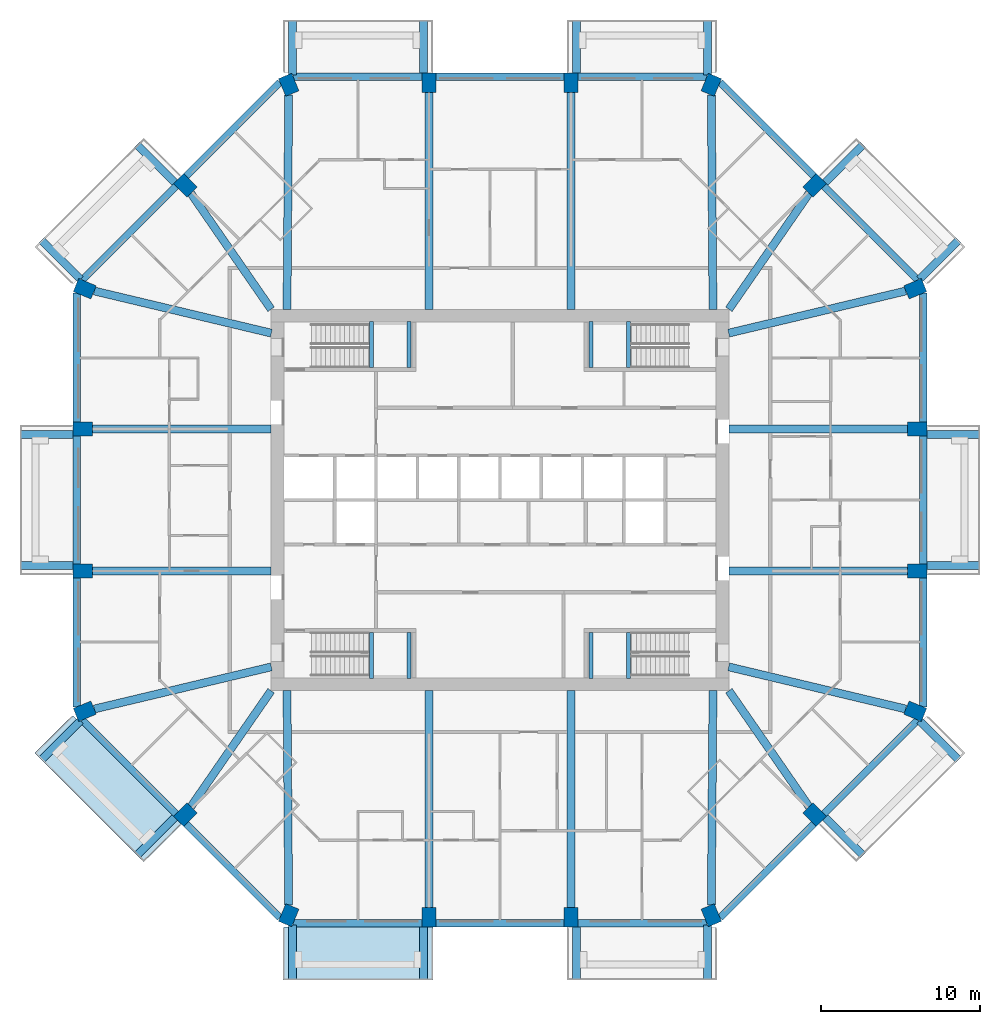
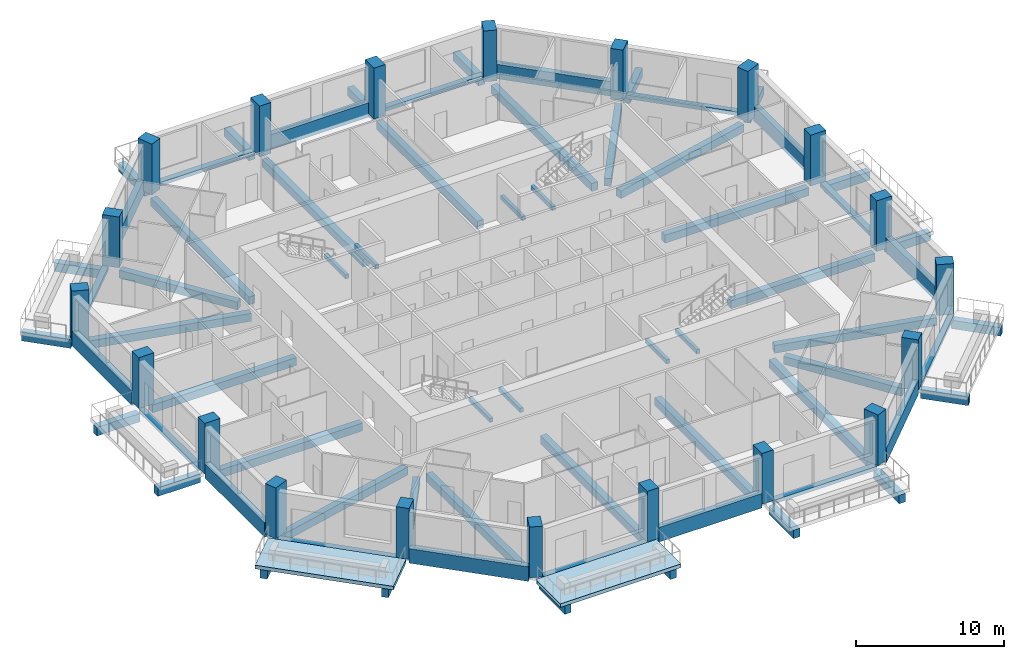
# One storey, part 1 of 13: 68 beams, 20 columns, 2 slabs.
"""IFC4 building model written with IfcOpenShell, lengths in metres."""

import ifcopenshell
import ifcopenshell.guid

model = None  # the IFC model being written
_history = None  # IfcOwnerHistory: only IFC2X3 demands one
_inside = {}  # id of a spatial element -> (the spatial element, [elements in it])
_under = {}  # id of a project, library or spatial element -> (it, [spatial elements below it])
_declared = {}  # id of a project -> (the project, [libraries it declares])
_typed = {}  # id of a type object -> (the type object, [elements of that type])
_made_of = {}  # id of a material, layer set ... -> (it, [elements and type objects made of it])


def new_model(schema):
    """Start an empty IFC model of exactly this schema.

    Asked for "IFC4X3", IfcOpenShell would pick the latest addendum, in which some entities
    have other attributes; the version numbers below select the first issue.
    IFC2X3 requires an IfcOwnerHistory on every rooted entity: one is made here for all.
    """
    global model, _history
    if schema == "IFC4X3":
        model = ifcopenshell.file(schema_version=(4, 3, 0, 0))
    else:
        model = ifcopenshell.file(schema=schema)
    _inside.clear()
    _under.clear()
    _declared.clear()
    _typed.clear()
    _made_of.clear()
    _history = None
    if model.schema == "IFC2X3":
        org = make("IfcOrganization", Name="unknown")
        user = make(
            "IfcPersonAndOrganization",
            ThePerson=make("IfcPerson", FamilyName="unknown"),
            TheOrganization=org,
        )
        app = make(
            "IfcApplication",
            ApplicationDeveloper=org,
            Version="unknown",
            ApplicationFullName="unknown",
            ApplicationIdentifier="unknown",
        )
        _history = make(
            "IfcOwnerHistory",
            OwningUser=user,
            OwningApplication=app,
            ChangeAction="ADDED",
            CreationDate=0,
        )
    return model


def make(cls, **values):
    """One entity of the class cls with the attributes given. An attribute that is None is left unset."""
    return model.create_entity(
        cls, **{name: value for name, value in values.items() if value is not None}
    )


def rooted(cls, **values):
    """An entity with a GlobalId (a new one), such as an element, a storey or a relation."""
    return make(cls, GlobalId=ifcopenshell.guid.new(), OwnerHistory=_history, **values)


def si_unit(unit_type, name, prefix=None):
    """IfcSIUnit, for example si_unit("LENGTHUNIT", "METRE", prefix="MILLI")."""
    return make("IfcSIUnit", UnitType=unit_type, Prefix=prefix, Name=name)


def assignment(units):
    """IfcUnitAssignment: the units of a project."""
    return None if units is None else make("IfcUnitAssignment", Units=units)


def point(xyz):
    """IfcCartesianPoint."""
    return None if xyz is None else make("IfcCartesianPoint", Coordinates=xyz)


def direction(xyz):
    """IfcDirection."""
    return None if xyz is None else make("IfcDirection", DirectionRatios=xyz)


def frame(location, z_axis=None, x_axis=None):
    """IfcAxis2Placement3D, a coordinate frame: its origin and axes. An axis left out is left unset."""
    return make(
        "IfcAxis2Placement3D",
        Location=point(location),
        Axis=direction(z_axis),
        RefDirection=direction(x_axis),
    )


def frame_2d(location, x_axis=None):
    """IfcAxis2Placement2D, a coordinate frame in the plane: its origin and x axis."""
    return make(
        "IfcAxis2Placement2D", Location=point(location), RefDirection=direction(x_axis)
    )


def origin():
    """The frame at (0, 0, 0) with its axes left unset."""
    return frame((0.0, 0.0, 0.0))


def origin_2d():
    """The frame at (0, 0) in the plane with its x axis left unset."""
    return frame_2d((0.0, 0.0))


def place(relative_to, where):
    """IfcLocalPlacement: puts the frame where relative to a parent placement (None: the world)."""
    return make(
        "IfcLocalPlacement", PlacementRelTo=relative_to, RelativePlacement=where
    )


def context(
    kind, dimensions, precision=None, world=None, true_north=None, identifier=None
):
    """IfcGeometricRepresentationContext, for example the 3D "Model" context."""
    return make(
        "IfcGeometricRepresentationContext",
        ContextIdentifier=identifier,
        ContextType=kind,
        CoordinateSpaceDimension=dimensions,
        Precision=precision,
        WorldCoordinateSystem=world,
        TrueNorth=true_north,
    )


def subcontext(parent, identifier, kind, view, scale=None):
    """IfcGeometricRepresentationSubContext, for example "Body" below "Model"."""
    return make(
        "IfcGeometricRepresentationSubContext",
        ContextIdentifier=identifier,
        ContextType=kind,
        ParentContext=parent,
        TargetScale=scale,
        TargetView=view,
    )


def project(units=None, contexts=None):
    """IfcProject with its units and contexts."""
    return rooted(
        "IfcProject",
        Name="project",
        RepresentationContexts=contexts,
        UnitsInContext=assignment(units),
    )


def spatial(cls, under=None, at=None, **own):
    """A site, building, storey or space (cls), placed at a placement, below another one or the project."""
    s = rooted(cls, ObjectPlacement=at, **own)
    if under is not None:
        _under.setdefault(under.id(), (under, []))[1].append(s)
    return s


def polyline(points):
    """IfcPolyline through the points."""
    return make("IfcPolyline", Points=[point(p) for p in points])


def profile(cls, at=None, kind="AREA", **sizes):
    """A parametric profile (cls). Its sizes go by their IFC names, for example OverallWidth=200.0."""
    return make(cls, ProfileType=kind, Position=at, **sizes)


def rectangle(**sizes):
    """IfcRectangleProfileDef."""
    return profile("IfcRectangleProfileDef", **sizes)


def outline(outer, holes=None, kind="AREA"):
    """IfcArbitraryClosedProfileDef: a profile drawn as a closed curve; with holes, ...WithVoids."""
    if holes is None:
        return make("IfcArbitraryClosedProfileDef", ProfileType=kind, OuterCurve=outer)
    return make(
        "IfcArbitraryProfileDefWithVoids",
        ProfileType=kind,
        OuterCurve=outer,
        InnerCurves=holes,
    )


def extrude(swept, where, along, depth):
    """IfcExtrudedAreaSolid: the profile swept, set in the frame where, extruded along a direction by depth."""
    return make(
        "IfcExtrudedAreaSolid",
        SweptArea=swept,
        Position=where,
        ExtrudedDirection=direction(along),
        Depth=depth,
    )


def shape(context_of_items, identifier, shape_type, items):
    """IfcShapeRepresentation: the items that make up one representation, for example the "Body"."""
    return make(
        "IfcShapeRepresentation",
        ContextOfItems=context_of_items,
        RepresentationIdentifier=identifier,
        RepresentationType=shape_type,
        Items=items,
    )


def material(Name=None, Category=None):
    """IfcMaterial."""
    return make("IfcMaterial", Name=Name, Category=Category)


def layer(
    of_material, thickness, ventilated=None, Name=None, Category=None, Priority=None
):
    """IfcMaterialLayer: one layer of a wall or slab, of a material (None: an air gap)."""
    return make(
        "IfcMaterialLayer",
        Material=of_material,
        LayerThickness=thickness,
        IsVentilated=ventilated,
        Name=Name,
        Category=Category,
        Priority=Priority,
    )


def layer_set(layers, Name=None):
    """IfcMaterialLayerSet."""
    return make("IfcMaterialLayerSet", MaterialLayers=layers, LayerSetName=Name)


def material_profile(
    of_material, cross_section, Name=None, Category=None, Priority=None
):
    """IfcMaterialProfile: a cross section and its material."""
    return make(
        "IfcMaterialProfile",
        Name=Name,
        Material=of_material,
        Profile=cross_section,
        Priority=Priority,
        Category=Category,
    )


def profile_set(profiles, Name=None, composite=None):
    """IfcMaterialProfileSet."""
    return make(
        "IfcMaterialProfileSet",
        Name=Name,
        MaterialProfiles=profiles,
        CompositeProfile=composite,
    )


def made_of(thing, what):
    """Note that an element or type object is made of a material, layer set ...; save() writes the relation."""
    if what is not None:
        _made_of.setdefault(what.id(), (what, []))[1].append(thing)
    return thing


def type_object(cls, material=None, **own):
    """A type object (cls), such as IfcWallType, which elements share."""
    return made_of(rooted(cls, **own), material)


def element(
    cls,
    number,
    at=None,
    inside=None,
    cuts=None,
    type_object=None,
    material=None,
    context=None,
    identifier="Body",
    shape_type=None,
    held_by="IfcProductDefinitionShape",
    body=None,
    shapes=None,
    **own,
):
    """One element of the class cls, such as IfcWall. Its Tag is "e" and its number.

    at: its placement. inside: the storey or other place that contains it. cuts: it is an
    opening in that element (IfcRelVoidsElement). A single representation is given by context,
    identifier, shape_type and body (its items); several are given by shapes. held_by: the class
    of the entity that holds the representations. save() writes the other relations.
    """
    e = rooted(cls, Tag="e%d" % number, ObjectPlacement=at, **own)
    if body is not None:
        shapes = [shape(context, identifier, shape_type, body)]
    if shapes is not None:
        e.Representation = make(held_by, Representations=shapes)
    if inside is not None:
        _inside.setdefault(inside.id(), (inside, []))[1].append(e)
    if cuts is not None:
        rooted(
            "IfcRelVoidsElement", RelatingBuildingElement=cuts, RelatedOpeningElement=e
        )
    if type_object is not None:
        _typed.setdefault(type_object.id(), (type_object, []))[1].append(e)
    return made_of(e, material)


def aggregate(whole, parts):
    """IfcRelAggregates: a whole, such as a stair, and the parts it consists of."""
    return rooted("IfcRelAggregates", RelatingObject=whole, RelatedObjects=parts)


def save(model, path):
    """Write the relations noted so far, then the file.

    IfcRelAggregates (storeys below a building ...), IfcRelContainedInSpatialStructure (elements
    in a storey), IfcRelDefinesByType, IfcRelAssociatesMaterial and IfcRelDeclares: one each for
    every whole, place, type object, material and project.
    """
    for whole, parts in _under.values():
        aggregate(whole, parts)
    for where, things in _inside.values():
        rooted(
            "IfcRelContainedInSpatialStructure",
            RelatedElements=things,
            RelatingStructure=where,
        )
    for kind, things in _typed.values():
        rooted("IfcRelDefinesByType", RelatedObjects=things, RelatingType=kind)
    for what, things in _made_of.values():
        rooted("IfcRelAssociatesMaterial", RelatedObjects=things, RelatingMaterial=what)
    for by, libraries in _declared.values():
        rooted("IfcRelDeclares", RelatingContext=by, RelatedDefinitions=libraries)
    model.write(path)


model = new_model("IFC4")

# Units and contexts
model_context = context("Model", 3, precision=1e-05, world=origin(), true_north=direction((0.0, 1.0)))
body_context = subcontext(model_context, "Body", "Model", "MODEL_VIEW")
ifc_project = project(units=[si_unit("LENGTHUNIT", "METRE"), si_unit("AREAUNIT", "SQUARE_METRE"), si_unit("VOLUMEUNIT", "CUBIC_METRE"), si_unit("PLANEANGLEUNIT", "RADIAN"), si_unit("MASSUNIT", "GRAM", prefix="KILO")], contexts=[model_context])

# Site, building, storey
site_placement = place(None, origin())
site = spatial("IfcSite", under=ifc_project, at=site_placement, CompositionType="ELEMENT")
building_placement = place(site_placement, origin())
building = spatial("IfcBuilding", under=site, at=building_placement, Name="Msitu Wima Residences", CompositionType="ELEMENT")
storey_placement = place(building_placement, frame((0.0, 0.0, 148.5)))
storey = spatial("IfcBuildingStorey", under=building, at=storey_placement, Name="L34", CompositionType="ELEMENT", Elevation=148.5)

# Columns
ifc_material_1 = material(Name="Concrete C70/85", Category="concrete")
ifc_material_profile_1 = material_profile(ifc_material_1, rectangle(XDim=0.89990234375, YDim=1.199951171875, at=origin_2d()), Name="RC 900x1200")
ifc_profile_set_1 = profile_set([ifc_material_profile_1], Name="Concrete C70/85")
column_type = type_object("IfcColumnType", Name="Column RC 900x1200 Concrete C70/85", PredefinedType="COLUMN", material=ifc_profile_set_1)
for number, where, z_axis, x_axis, name in (
    (1, (26.12353515625, -13.291259765625, 0.0), (0.0, 0.0, 1.0), (0.382683496864, 0.923879505795, 0.0), "Column L34 C-E0"),
    (2, (26.25, -4.46875, 0.0), (0.0, 0.0, 1.0), (0.0, 1.0, 0.0), "Column L34 C-E1"),
    (3, (26.25, 4.46875, 0.0), (0.0, 0.0, 1.0), (0.0, 1.0, 0.0), "Column L34 C-E2"),
    (4, (26.12353515625, 13.291259765625, 0.0), (0.0, 0.0, 1.0), (-0.382683496864, 0.923879505795, 0.0), "Column L34 C-NE0"),
    (5, (19.796875, 19.796875, 0.0), (0.0, 0.0, 1.0), (-0.707106781187, 0.707106781187, 0.0), "Column L34 C-NE1"),
    (6, (13.291259765625, 26.12353515625, 0.0), (0.0, 0.0, 1.0), (-0.923879505795, 0.382683496864, 0.0), "Column L34 C-N0"),
    (7, (4.46875, 26.25, 0.0), (0.0, 0.0, 1.0), (-1.0, 0.0, 0.0), "Column L34 C-N1"),
    (8, (-4.46875, 26.25, 0.0), (0.0, 0.0, 1.0), (-1.0, 0.0, 0.0), "Column L34 C-N2"),
    (9, (-13.291259765625, 26.12353515625, 0.0), (0.0, 0.0, 1.0), (-0.923879505795, -0.382683496864, 0.0), "Column L34 C-NW0"),
    (10, (-19.796875, 19.796875, 0.0), (0.0, 0.0, 1.0), (-0.707106781187, -0.707106781187, 0.0), "Column L34 C-NW1"),
    (11, (-26.12353515625, 13.291259765625, 0.0), (0.0, 0.0, 1.0), (-0.382683496864, -0.923879505795, 0.0), "Column L34 C-W0"),
    (12, (-26.25, 4.46875, 0.0), (0.0, 0.0, 1.0), (0.0, -1.0, 0.0), "Column L34 C-W1"),
    (13, (-26.25, -4.46875, 0.0), (0.0, 0.0, 1.0), (0.0, -1.0, 0.0), "Column L34 C-W2"),
    (14, (-26.12353515625, -13.291259765625, 0.0), (0.0, 0.0, 1.0), (0.382683496864, -0.923879505795, 0.0), "Column L34 C-SW0"),
    (15, (-19.796875, -19.796875, 0.0), (0.0, 0.0, 1.0), (0.707106781187, -0.707106781187, 0.0), "Column L34 C-SW1"),
    (16, (-13.291259765625, -26.12353515625, 0.0), (0.0, 0.0, 1.0), (0.923879505795, -0.382683496864, 0.0), "Column L34 C-S0"),
    (17, (-4.46875, -26.25, 0.0), (0.0, 0.0, 1.0), (1.0, 0.0, 0.0), "Column L34 C-S1"),
    (18, (4.46875, -26.25, 0.0), (0.0, 0.0, 1.0), (1.0, 0.0, 0.0), "Column L34 C-S2"),
    (19, (13.291259765625, -26.12353515625, 0.0), (0.0, 0.0, 1.0), (0.923879505795, 0.382683496864, 0.0), "Column L34 C-SE0"),
    (20, (19.796875, -19.796875, 0.0), (0.0, 0.0, 1.0), (0.707106781187, 0.707106781187, 0.0), "Column L34 C-SE1"),
):
    element("IfcColumn", number, at=place(storey_placement, frame(where, z_axis=z_axis, x_axis=x_axis)), inside=storey, type_object=column_type, Name=name, PredefinedType="COLUMN", context=body_context, shape_type="SweptSolid", body=[
        extrude(rectangle(XDim=0.89990234375, YDim=1.199951171875, at=origin_2d()), origin(), (0.0, 0.0, 1.0), 4.199951171875),
    ])

# Beams
ifc_material_2 = material(Name="Concrete C50/60", Category="concrete")
ifc_material_profile_2 = material_profile(ifc_material_2, rectangle(XDim=0.5, YDim=0.64990234375, at=origin_2d()), Name="RC 500x650")
ifc_profile_set_2 = profile_set([ifc_material_profile_2], Name="Concrete C50/60")
beam_type_1 = type_object("IfcBeamType", Name="Beam RC 500x650 Concrete C50/60", PredefinedType="BEAM", material=ifc_profile_set_2)
beam_1_placement = place(storey_placement, frame((25.5322265625, -13.150634765625, -0.574951171875), z_axis=(-0.972805528659, 0.231623408598, 0.0), x_axis=(-0.231623408598, -0.972805528659, 0.0)))
element("IfcBeam", 21, at=beam_1_placement, inside=storey, type_object=beam_type_1, Name="Beam L34 C-E0", PredefinedType="BEAM", context=body_context, shape_type="SweptSolid", body=[
    extrude(rectangle(XDim=0.5, YDim=0.64990234375, at=origin_2d()), origin(), (0.0, 0.0, 1.0), 11.455322265625),
])
for number, where, z_axis, x_axis, name in (
    (22, (25.64990234375, -4.46875, -0.574951171875), (-1.0, 0.0, 0.0), (0.0, -1.0, 0.0), "Beam L34 C-E1"),
    (23, (25.64990234375, 4.46875, -0.574951171875), (-1.0, 0.0, 0.0), (0.0, -1.0, 0.0), "Beam L34 C-E2"),
):
    element("IfcBeam", number, at=place(storey_placement, frame(where, z_axis=z_axis, x_axis=x_axis)), inside=storey, type_object=beam_type_1, Name=name, PredefinedType="BEAM", context=body_context, shape_type="SweptSolid", body=[
        extrude(rectangle(XDim=0.5, YDim=0.64990234375, at=origin_2d()), origin(), (0.0, 0.0, 1.0), 11.25),
    ])
beam_2_placement = place(storey_placement, frame((25.5322265625, 13.150634765625, -0.574951171875), z_axis=(-0.972805528659, -0.231623408598, 0.0), x_axis=(0.231623408598, -0.972805528659, 0.0)))
element("IfcBeam", 24, at=beam_2_placement, inside=storey, type_object=beam_type_1, Name="Beam L34 C-NE0", PredefinedType="BEAM", context=body_context, shape_type="SweptSolid", body=[
    extrude(rectangle(XDim=0.5, YDim=0.64990234375, at=origin_2d()), origin(), (0.0, 0.0, 1.0), 11.455322265625),
])
beam_3_placement = place(storey_placement, frame((19.44970703125, 19.29541015625, -0.574951171875), z_axis=(-0.569144158363, -0.822237755763, 0.0), x_axis=(0.822237755763, -0.569144158363, 0.0)))
element("IfcBeam", 25, at=beam_3_placement, inside=storey, type_object=beam_type_1, Name="Beam L34 C-NE1", PredefinedType="BEAM", context=body_context, shape_type="SweptSolid", body=[
    extrude(rectangle(XDim=0.5, YDim=0.64990234375, at=origin_2d()), origin(), (0.0, 0.0, 1.0), 8.87255859375),
])
beam_4_placement = place(storey_placement, frame((13.29638671875, 25.471923828125, -0.574951171875), z_axis=(0.007694865426, -0.999970394085, 0.0), x_axis=(0.999970394085, 0.007694865426, 0.0)))
element("IfcBeam", 26, at=beam_4_placement, inside=storey, type_object=beam_type_1, Name="Beam L34 C-N0", PredefinedType="BEAM", context=body_context, shape_type="SweptSolid", body=[
    extrude(rectangle(XDim=0.5, YDim=0.64990234375, at=origin_2d()), origin(), (0.0, 0.0, 1.0), 13.484375),
])
for number, where, z_axis, x_axis, name in (
    (27, (4.46875, 25.64990234375, -0.574951171875), (0.0, -1.0, 0.0), (1.0, 0.0, 0.0), "Beam L34 C-N1"),
    (28, (-4.46875, 25.64990234375, -0.574951171875), (0.0, -1.0, 0.0), (1.0, 0.0, 0.0), "Beam L34 C-N2"),
):
    element("IfcBeam", number, at=place(storey_placement, frame(where, z_axis=z_axis, x_axis=x_axis)), inside=storey, type_object=beam_type_1, Name=name, PredefinedType="BEAM", context=body_context, shape_type="SweptSolid", body=[
        extrude(rectangle(XDim=0.5, YDim=0.64990234375, at=origin_2d()), origin(), (0.0, 0.0, 1.0), 13.64990234375),
    ])
beam_5_placement = place(storey_placement, frame((-13.29638671875, 25.471923828125, -0.574951171875), z_axis=(-0.007694865426, -0.999970394085, 0.0), x_axis=(0.999970394085, -0.007694865426, 0.0)))
element("IfcBeam", 29, at=beam_5_placement, inside=storey, type_object=beam_type_1, Name="Beam L34 C-NW0", PredefinedType="BEAM", context=body_context, shape_type="SweptSolid", body=[
    extrude(rectangle(XDim=0.5, YDim=0.64990234375, at=origin_2d()), origin(), (0.0, 0.0, 1.0), 13.484375),
])
beam_6_placement = place(storey_placement, frame((-19.44970703125, 19.29541015625, -0.574951171875), z_axis=(0.569144158363, -0.822237755763, 0.0), x_axis=(0.822237755763, 0.569144158363, 0.0)))
element("IfcBeam", 30, at=beam_6_placement, inside=storey, type_object=beam_type_1, Name="Beam L34 C-NW1", PredefinedType="BEAM", context=body_context, shape_type="SweptSolid", body=[
    extrude(rectangle(XDim=0.5, YDim=0.64990234375, at=origin_2d()), origin(), (0.0, 0.0, 1.0), 8.87255859375),
])
beam_7_placement = place(storey_placement, frame((-25.5322265625, 13.150634765625, -0.574951171875), z_axis=(0.972805528659, -0.231623408598, 0.0), x_axis=(0.231623408598, 0.972805528659, 0.0)))
element("IfcBeam", 31, at=beam_7_placement, inside=storey, type_object=beam_type_1, Name="Beam L34 C-W0", PredefinedType="BEAM", context=body_context, shape_type="SweptSolid", body=[
    extrude(rectangle(XDim=0.5, YDim=0.64990234375, at=origin_2d()), origin(), (0.0, 0.0, 1.0), 11.455322265625),
])
for number, where, z_axis, x_axis, name in (
    (32, (-25.64990234375, 4.46875, -0.574951171875), (1.0, 0.0, 0.0), (0.0, 1.0, 0.0), "Beam L34 C-W1"),
    (33, (-25.64990234375, -4.46875, -0.574951171875), (1.0, 0.0, 0.0), (0.0, 1.0, 0.0), "Beam L34 C-W2"),
):
    element("IfcBeam", number, at=place(storey_placement, frame(where, z_axis=z_axis, x_axis=x_axis)), inside=storey, type_object=beam_type_1, Name=name, PredefinedType="BEAM", context=body_context, shape_type="SweptSolid", body=[
        extrude(rectangle(XDim=0.5, YDim=0.64990234375, at=origin_2d()), origin(), (0.0, 0.0, 1.0), 11.25),
    ])
beam_8_placement = place(storey_placement, frame((-25.5322265625, -13.150634765625, -0.574951171875), z_axis=(0.972805528659, 0.231623408598, 0.0), x_axis=(-0.231623408598, 0.972805528659, 0.0)))
element("IfcBeam", 34, at=beam_8_placement, inside=storey, type_object=beam_type_1, Name="Beam L34 C-SW0", PredefinedType="BEAM", context=body_context, shape_type="SweptSolid", body=[
    extrude(rectangle(XDim=0.5, YDim=0.64990234375, at=origin_2d()), origin(), (0.0, 0.0, 1.0), 11.455322265625),
])
beam_9_placement = place(storey_placement, frame((-19.44970703125, -19.29541015625, -0.574951171875), z_axis=(0.569144158363, 0.822237755763, 0.0), x_axis=(-0.822237755763, 0.569144158363, 0.0)))
element("IfcBeam", 35, at=beam_9_placement, inside=storey, type_object=beam_type_1, Name="Beam L34 C-SW1", PredefinedType="BEAM", context=body_context, shape_type="SweptSolid", body=[
    extrude(rectangle(XDim=0.5, YDim=0.64990234375, at=origin_2d()), origin(), (0.0, 0.0, 1.0), 8.87255859375),
])
beam_10_placement = place(storey_placement, frame((-13.29638671875, -25.471923828125, -0.574951171875), z_axis=(-0.007694865426, 0.999970394085, 0.0), x_axis=(-0.999970394085, -0.007694865426, 0.0)))
element("IfcBeam", 36, at=beam_10_placement, inside=storey, type_object=beam_type_1, Name="Beam L34 C-S0", PredefinedType="BEAM", context=body_context, shape_type="SweptSolid", body=[
    extrude(rectangle(XDim=0.5, YDim=0.64990234375, at=origin_2d()), origin(), (0.0, 0.0, 1.0), 13.484375),
])
for number, where, z_axis, x_axis, name in (
    (37, (-4.46875, -25.64990234375, -0.574951171875), (0.0, 1.0, 0.0), (-1.0, 0.0, 0.0), "Beam L34 C-S1"),
    (38, (4.46875, -25.64990234375, -0.574951171875), (0.0, 1.0, 0.0), (-1.0, 0.0, 0.0), "Beam L34 C-S2"),
):
    element("IfcBeam", number, at=place(storey_placement, frame(where, z_axis=z_axis, x_axis=x_axis)), inside=storey, type_object=beam_type_1, Name=name, PredefinedType="BEAM", context=body_context, shape_type="SweptSolid", body=[
        extrude(rectangle(XDim=0.5, YDim=0.64990234375, at=origin_2d()), origin(), (0.0, 0.0, 1.0), 13.64990234375),
    ])
beam_11_placement = place(storey_placement, frame((13.29638671875, -25.471923828125, -0.574951171875), z_axis=(0.007694865426, 0.999970394085, 0.0), x_axis=(-0.999970394085, 0.007694865426, 0.0)))
element("IfcBeam", 39, at=beam_11_placement, inside=storey, type_object=beam_type_1, Name="Beam L34 C-SE0", PredefinedType="BEAM", context=body_context, shape_type="SweptSolid", body=[
    extrude(rectangle(XDim=0.5, YDim=0.64990234375, at=origin_2d()), origin(), (0.0, 0.0, 1.0), 13.484375),
])
beam_12_placement = place(storey_placement, frame((19.44970703125, -19.29541015625, -0.574951171875), z_axis=(-0.569144158363, 0.822237755763, 0.0), x_axis=(-0.822237755763, -0.569144158363, 0.0)))
element("IfcBeam", 40, at=beam_12_placement, inside=storey, type_object=beam_type_1, Name="Beam L34 C-SE1", PredefinedType="BEAM", context=body_context, shape_type="SweptSolid", body=[
    extrude(rectangle(XDim=0.5, YDim=0.64990234375, at=origin_2d()), origin(), (0.0, 0.0, 1.0), 8.87255859375),
])
ifc_material_profile_3 = material_profile(ifc_material_2, rectangle(XDim=0.5, YDim=0.699951171875, at=origin_2d()), Name="RC 500x700")
ifc_profile_set_3 = profile_set([ifc_material_profile_3], Name="Concrete C50/60")
beam_type_2 = type_object("IfcBeamType", Name="Cantilever beam RC 500x700 Concrete C50/60", PredefinedType="BEAM", material=ifc_profile_set_3)
for number, where, z_axis, x_axis, name in (
    (41, (26.85009765625, -4.11865234375, -0.64990234375), (1.0, 0.0, 0.0), (0.0, 1.0, 0.0), "Cantilever beam L34 BA-E1 A"),
    (42, (26.85009765625, 4.11865234375, -0.64990234375), (1.0, 0.0, 0.0), (0.0, 1.0, 0.0), "Cantilever beam L34 BA-E1 B"),
):
    element("IfcBeam", number, at=place(storey_placement, frame(where, z_axis=z_axis, x_axis=x_axis)), inside=storey, type_object=beam_type_2, Name=name, PredefinedType="BEAM", context=body_context, shape_type="SweptSolid", body=[
        extrude(rectangle(XDim=0.5, YDim=0.699951171875, at=origin_2d()), origin(), (0.0, 0.0, 1.0), 3.349853515625),
    ])
beam_13_placement = place(storey_placement, frame((26.386474609375, 13.887451171875, -0.64990234375), z_axis=(0.707141968506, 0.707071592116, 0.0), x_axis=(-0.707071592116, 0.707141968506, 0.0)))
element("IfcBeam", 43, at=beam_13_placement, inside=storey, type_object=beam_type_2, Name="Cantilever beam L34 BA-NE0 A", PredefinedType="BEAM", context=body_context, shape_type="SweptSolid", body=[
    extrude(rectangle(XDim=0.5, YDim=0.699951171875, at=origin_2d()), origin(), (0.0, 0.0, 1.0), 3.468994140625),
])
beam_14_placement = place(storey_placement, frame((20.46875, 19.9736328125, -0.64990234375), z_axis=(0.707070340836, 0.707143219659, 0.0), x_axis=(-0.707143219659, 0.707070340836, 0.0)))
element("IfcBeam", 44, at=beam_14_placement, inside=storey, type_object=beam_type_2, Name="Cantilever beam L34 BA-NE0 B", PredefinedType="BEAM", context=body_context, shape_type="SweptSolid", body=[
    extrude(rectangle(XDim=0.5, YDim=0.699951171875, at=origin_2d()), origin(), (0.0, 0.0, 1.0), 3.349853515625),
])
beam_15_placement = place(storey_placement, frame((13.055908203125, 26.73095703125, -0.64990234375), z_axis=(0.0, 1.0, 0.0), x_axis=(-1.0, 0.0, 0.0)))
element("IfcBeam", 45, at=beam_15_placement, inside=storey, type_object=beam_type_2, Name="Cantilever beam L34 BA-N0 A", PredefinedType="BEAM", context=body_context, shape_type="SweptSolid", body=[
    extrude(rectangle(XDim=0.5, YDim=0.699951171875, at=origin_2d()), origin(), (0.0, 0.0, 1.0), 3.468994140625),
])
for number, where, z_axis, x_axis, name in (
    (46, (4.818603515625, 26.85009765625, -0.64990234375), (0.0, 1.0, 0.0), (-1.0, 0.0, 0.0), "Cantilever beam L34 BA-N0 B"),
    (47, (-4.818603515625, 26.85009765625, -0.64990234375), (0.0, 1.0, 0.0), (-1.0, 0.0, 0.0), "Cantilever beam L34 BA-N2 A"),
):
    element("IfcBeam", number, at=place(storey_placement, frame(where, z_axis=z_axis, x_axis=x_axis)), inside=storey, type_object=beam_type_2, Name=name, PredefinedType="BEAM", context=body_context, shape_type="SweptSolid", body=[
        extrude(rectangle(XDim=0.5, YDim=0.699951171875, at=origin_2d()), origin(), (0.0, 0.0, 1.0), 3.349853515625),
    ])
beam_16_placement = place(storey_placement, frame((-13.055908203125, 26.73095703125, -0.64990234375), z_axis=(0.0, 1.0, 0.0), x_axis=(-1.0, 0.0, 0.0)))
element("IfcBeam", 48, at=beam_16_placement, inside=storey, type_object=beam_type_2, Name="Cantilever beam L34 BA-N2 B", PredefinedType="BEAM", context=body_context, shape_type="SweptSolid", body=[
    extrude(rectangle(XDim=0.5, YDim=0.699951171875, at=origin_2d()), origin(), (0.0, 0.0, 1.0), 3.468994140625),
])
beam_17_placement = place(storey_placement, frame((-20.46875, 19.9736328125, -0.64990234375), z_axis=(-0.707070340836, 0.707143219659, 0.0), x_axis=(-0.707143219659, -0.707070340836, 0.0)))
element("IfcBeam", 49, at=beam_17_placement, inside=storey, type_object=beam_type_2, Name="Cantilever beam L34 BA-NW1 A", PredefinedType="BEAM", context=body_context, shape_type="SweptSolid", body=[
    extrude(rectangle(XDim=0.5, YDim=0.699951171875, at=origin_2d()), origin(), (0.0, 0.0, 1.0), 3.349853515625),
])
beam_18_placement = place(storey_placement, frame((-26.386474609375, 13.887451171875, -0.64990234375), z_axis=(-0.707141968506, 0.707071592116, 0.0), x_axis=(-0.707071592116, -0.707141968506, 0.0)))
element("IfcBeam", 50, at=beam_18_placement, inside=storey, type_object=beam_type_2, Name="Cantilever beam L34 BA-NW1 B", PredefinedType="BEAM", context=body_context, shape_type="SweptSolid", body=[
    extrude(rectangle(XDim=0.5, YDim=0.699951171875, at=origin_2d()), origin(), (0.0, 0.0, 1.0), 3.468994140625),
])
for number, where, z_axis, x_axis, name in (
    (51, (-26.85009765625, 4.11865234375, -0.64990234375), (-1.0, 0.0, 0.0), (0.0, -1.0, 0.0), "Cantilever beam L34 BA-W1 A"),
    (52, (-26.85009765625, -4.11865234375, -0.64990234375), (-1.0, 0.0, 0.0), (0.0, -1.0, 0.0), "Cantilever beam L34 BA-W1 B"),
):
    element("IfcBeam", number, at=place(storey_placement, frame(where, z_axis=z_axis, x_axis=x_axis)), inside=storey, type_object=beam_type_2, Name=name, PredefinedType="BEAM", context=body_context, shape_type="SweptSolid", body=[
        extrude(rectangle(XDim=0.5, YDim=0.699951171875, at=origin_2d()), origin(), (0.0, 0.0, 1.0), 3.349853515625),
    ])
beam_19_placement = place(storey_placement, frame((-26.386474609375, -13.887451171875, -0.64990234375), z_axis=(-0.707141968506, -0.707071592116, 0.0), x_axis=(0.707071592116, -0.707141968506, 0.0)))
element("IfcBeam", 53, at=beam_19_placement, inside=storey, type_object=beam_type_2, Name="Cantilever beam L34 BA-SW0 A", PredefinedType="BEAM", context=body_context, shape_type="SweptSolid", body=[
    extrude(rectangle(XDim=0.5, YDim=0.699951171875, at=origin_2d()), origin(), (0.0, 0.0, 1.0), 3.468994140625),
])
beam_20_placement = place(storey_placement, frame((-20.46875, -19.9736328125, -0.64990234375), z_axis=(-0.707070340836, -0.707143219659, 0.0), x_axis=(0.707143219659, -0.707070340836, 0.0)))
element("IfcBeam", 54, at=beam_20_placement, inside=storey, type_object=beam_type_2, Name="Cantilever beam L34 BA-SW0 B", PredefinedType="BEAM", context=body_context, shape_type="SweptSolid", body=[
    extrude(rectangle(XDim=0.5, YDim=0.699951171875, at=origin_2d()), origin(), (0.0, 0.0, 1.0), 3.349853515625),
])
beam_21_placement = place(storey_placement, frame((-13.055908203125, -26.73095703125, -0.64990234375), z_axis=(0.0, -1.0, 0.0), x_axis=(1.0, 0.0, 0.0)))
element("IfcBeam", 55, at=beam_21_placement, inside=storey, type_object=beam_type_2, Name="Cantilever beam L34 BA-S0 A", PredefinedType="BEAM", context=body_context, shape_type="SweptSolid", body=[
    extrude(rectangle(XDim=0.5, YDim=0.699951171875, at=origin_2d()), origin(), (0.0, 0.0, 1.0), 3.468994140625),
])
for number, where, z_axis, x_axis, name in (
    (56, (-4.818603515625, -26.85009765625, -0.64990234375), (0.0, -1.0, 0.0), (1.0, 0.0, 0.0), "Cantilever beam L34 BA-S0 B"),
    (57, (4.818603515625, -26.85009765625, -0.64990234375), (0.0, -1.0, 0.0), (1.0, 0.0, 0.0), "Cantilever beam L34 BA-S2 A"),
):
    element("IfcBeam", number, at=place(storey_placement, frame(where, z_axis=z_axis, x_axis=x_axis)), inside=storey, type_object=beam_type_2, Name=name, PredefinedType="BEAM", context=body_context, shape_type="SweptSolid", body=[
        extrude(rectangle(XDim=0.5, YDim=0.699951171875, at=origin_2d()), origin(), (0.0, 0.0, 1.0), 3.349853515625),
    ])
beam_22_placement = place(storey_placement, frame((13.055908203125, -26.73095703125, -0.64990234375), z_axis=(0.0, -1.0, 0.0), x_axis=(1.0, 0.0, 0.0)))
element("IfcBeam", 58, at=beam_22_placement, inside=storey, type_object=beam_type_2, Name="Cantilever beam L34 BA-S2 B", PredefinedType="BEAM", context=body_context, shape_type="SweptSolid", body=[
    extrude(rectangle(XDim=0.5, YDim=0.699951171875, at=origin_2d()), origin(), (0.0, 0.0, 1.0), 3.468994140625),
])
beam_23_placement = place(storey_placement, frame((20.46875, -19.9736328125, -0.64990234375), z_axis=(0.707070340836, -0.707143219659, 0.0), x_axis=(0.707143219659, 0.707070340836, 0.0)))
element("IfcBeam", 59, at=beam_23_placement, inside=storey, type_object=beam_type_2, Name="Cantilever beam L34 BA-SE1 A", PredefinedType="BEAM", context=body_context, shape_type="SweptSolid", body=[
    extrude(rectangle(XDim=0.5, YDim=0.699951171875, at=origin_2d()), origin(), (0.0, 0.0, 1.0), 3.349853515625),
])
beam_24_placement = place(storey_placement, frame((26.386474609375, -13.887451171875, -0.64990234375), z_axis=(0.707141968506, -0.707071592116, 0.0), x_axis=(0.707071592116, 0.707141968506, 0.0)))
element("IfcBeam", 60, at=beam_24_placement, inside=storey, type_object=beam_type_2, Name="Cantilever beam L34 BA-SE1 B", PredefinedType="BEAM", context=body_context, shape_type="SweptSolid", body=[
    extrude(rectangle(XDim=0.5, YDim=0.699951171875, at=origin_2d()), origin(), (0.0, 0.0, 1.0), 3.468994140625),
])
ifc_material_profile_4 = material_profile(ifc_material_2, rectangle(XDim=0.449951171875, YDim=0.300048828125, at=origin_2d()), Name="RC 450x300")
ifc_profile_set_4 = profile_set([ifc_material_profile_4], Name="Concrete C50/60")
beam_type_3 = type_object("IfcBeamType", Name="Edge beam RC 450x300 Concrete C50/60", PredefinedType="SPANDREL", material=ifc_profile_set_4)
beam_25_placement = place(storey_placement, frame((26.625, -4.0185546875, -0.14990234375), z_axis=(0.0, 1.0, 0.0), x_axis=(-1.0, 0.0, 0.0)))
element("IfcBeam", 61, at=beam_25_placement, inside=storey, type_object=beam_type_3, Name="Spandrel L34 E1", PredefinedType="SPANDREL", context=body_context, shape_type="SweptSolid", body=[
    extrude(rectangle(XDim=0.449951171875, YDim=0.300048828125, at=origin_2d()), origin(), (0.0, 0.0, 1.0), 8.037109375),
])
beam_26_placement = place(storey_placement, frame((26.2890625, 13.8349609375, -0.14990234375), z_axis=(-0.707106781187, 0.707106781187, 0.0), x_axis=(-0.707106781187, -0.707106781187, 0.0)))
element("IfcBeam", 62, at=beam_26_placement, inside=storey, type_object=beam_type_3, Name="Spandrel L34 NE0", PredefinedType="SPANDREL", context=body_context, shape_type="SweptSolid", body=[
    extrude(rectangle(XDim=0.449951171875, YDim=0.300048828125, at=origin_2d()), origin(), (0.0, 0.0, 1.0), 8.3564453125),
])
for number, where, z_axis, x_axis, name in (
    (63, (13.02392578125, 26.625, -0.14990234375), (-1.0, 0.0, 0.0), (0.0, -1.0, 0.0), "Spandrel L34 N0"),
    (64, (-4.918701171875, 26.625, -0.14990234375), (-1.0, 0.0, 0.0), (0.0, -1.0, 0.0), "Spandrel L34 N2"),
):
    element("IfcBeam", number, at=place(storey_placement, frame(where, z_axis=z_axis, x_axis=x_axis)), inside=storey, type_object=beam_type_3, Name=name, PredefinedType="SPANDREL", context=body_context, shape_type="SweptSolid", body=[
        extrude(rectangle(XDim=0.449951171875, YDim=0.300048828125, at=origin_2d()), origin(), (0.0, 0.0, 1.0), 8.105224609375),
    ])
beam_27_placement = place(storey_placement, frame((-20.380126953125, 19.743896484375, -0.14990234375), z_axis=(-0.707106781187, -0.707106781187, 0.0), x_axis=(0.707106781187, -0.707106781187, 0.0)))
element("IfcBeam", 65, at=beam_27_placement, inside=storey, type_object=beam_type_3, Name="Spandrel L34 NW1", PredefinedType="SPANDREL", context=body_context, shape_type="SweptSolid", body=[
    extrude(rectangle(XDim=0.449951171875, YDim=0.300048828125, at=origin_2d()), origin(), (0.0, 0.0, 1.0), 8.3564453125),
])
beam_28_placement = place(storey_placement, frame((-26.625, 4.0185546875, -0.14990234375), z_axis=(0.0, -1.0, 0.0), x_axis=(1.0, 0.0, 0.0)))
element("IfcBeam", 66, at=beam_28_placement, inside=storey, type_object=beam_type_3, Name="Spandrel L34 W1", PredefinedType="SPANDREL", context=body_context, shape_type="SweptSolid", body=[
    extrude(rectangle(XDim=0.449951171875, YDim=0.300048828125, at=origin_2d()), origin(), (0.0, 0.0, 1.0), 8.037109375),
])
beam_29_placement = place(storey_placement, frame((-26.2890625, -13.8349609375, -0.14990234375), z_axis=(0.707106781187, -0.707106781187, 0.0), x_axis=(0.707106781187, 0.707106781187, 0.0)))
element("IfcBeam", 67, at=beam_29_placement, inside=storey, type_object=beam_type_3, Name="Spandrel L34 SW0", PredefinedType="SPANDREL", context=body_context, shape_type="SweptSolid", body=[
    extrude(rectangle(XDim=0.449951171875, YDim=0.300048828125, at=origin_2d()), origin(), (0.0, 0.0, 1.0), 8.3564453125),
])
for number, where, z_axis, x_axis, name in (
    (68, (-13.02392578125, -26.625, -0.14990234375), (1.0, 0.0, 0.0), (0.0, 1.0, 0.0), "Spandrel L34 S0"),
    (69, (4.918701171875, -26.625, -0.14990234375), (1.0, 0.0, 0.0), (0.0, 1.0, 0.0), "Spandrel L34 S2"),
):
    element("IfcBeam", number, at=place(storey_placement, frame(where, z_axis=z_axis, x_axis=x_axis)), inside=storey, type_object=beam_type_3, Name=name, PredefinedType="SPANDREL", context=body_context, shape_type="SweptSolid", body=[
        extrude(rectangle(XDim=0.449951171875, YDim=0.300048828125, at=origin_2d()), origin(), (0.0, 0.0, 1.0), 8.105224609375),
    ])
beam_30_placement = place(storey_placement, frame((20.380126953125, -19.743896484375, -0.14990234375), z_axis=(0.707106781187, 0.707106781187, 0.0), x_axis=(-0.707106781187, 0.707106781187, 0.0)))
element("IfcBeam", 70, at=beam_30_placement, inside=storey, type_object=beam_type_3, Name="Spandrel L34 SE1", PredefinedType="SPANDREL", context=body_context, shape_type="SweptSolid", body=[
    extrude(rectangle(XDim=0.449951171875, YDim=0.300048828125, at=origin_2d()), origin(), (0.0, 0.0, 1.0), 8.3564453125),
])
ifc_material_3 = material(Name="Concrete C40/50", Category="concrete")
ifc_material_profile_5 = material_profile(ifc_material_3, rectangle(XDim=0.25, YDim=0.35009765625, at=origin_2d()), Name="RC 250x350")
ifc_profile_set_5 = profile_set([ifc_material_profile_5], Name="Concrete C40/50")
beam_type_4 = type_object("IfcBeamType", Name="Landing beam RC 250x350", PredefinedType="BEAM", material=ifc_profile_set_5)
for number, where, z_axis, x_axis, name in (
    (71, (-8.074951171875, 8.324951171875, 1.72509765625), (0.0, 1.0, 0.0), (-1.0, 0.0, 0.0), "Stair 1 landing beam"),
    (72, (-5.72509765625, 8.324951171875, 1.72509765625), (0.0, 1.0, 0.0), (-1.0, 0.0, 0.0), "Stair 1 landing beam"),
    (73, (-8.074951171875, -11.22509765625, 1.72509765625), (0.0, 1.0, 0.0), (-1.0, 0.0, 0.0), "Stair 2 landing beam"),
    (74, (-5.72509765625, -11.22509765625, 1.72509765625), (0.0, 1.0, 0.0), (-1.0, 0.0, 0.0), "Stair 2 landing beam"),
    (75, (8.074951171875, 8.324951171875, 1.72509765625), (0.0, 1.0, 0.0), (-1.0, 0.0, 0.0), "Stair 3 landing beam"),
    (76, (5.72509765625, 8.324951171875, 1.72509765625), (0.0, 1.0, 0.0), (-1.0, 0.0, 0.0), "Stair 3 landing beam"),
    (77, (8.074951171875, -11.22509765625, 1.72509765625), (0.0, 1.0, 0.0), (-1.0, 0.0, 0.0), "Stair 4 landing beam"),
    (78, (5.72509765625, -11.22509765625, 1.72509765625), (0.0, 1.0, 0.0), (-1.0, 0.0, 0.0), "Stair 4 landing beam"),
):
    element("IfcBeam", number, at=place(storey_placement, frame(where, z_axis=z_axis, x_axis=x_axis)), inside=storey, type_object=beam_type_4, Name=name, PredefinedType="BEAM", context=body_context, shape_type="SweptSolid", body=[
        extrude(rectangle(XDim=0.25, YDim=0.35009765625, at=origin_2d()), origin(), (0.0, 0.0, 1.0), 2.900146484375),
    ])
ifc_material_profile_6 = material_profile(ifc_material_2, rectangle(XDim=0.449951171875, YDim=1.199951171875, at=origin_2d()), Name="RC 450x1200")
ifc_profile_set_6 = profile_set([ifc_material_profile_6], Name="Concrete C50/60")
beam_type_5 = type_object("IfcBeamType", Name="Spandrel RC 450x1200 Concrete C50/60", PredefinedType="SPANDREL", material=ifc_profile_set_6)
for number, where, z_axis, x_axis, name in (
    (79, (26.625, -13.02392578125, 0.300048828125), (0.0, 1.0, 0.0), (-1.0, 0.0, 0.0), "Spandrel L34 E0"),
    (80, (26.625, 4.918701171875, 0.300048828125), (0.0, 1.0, 0.0), (-1.0, 0.0, 0.0), "Spandrel L34 E2"),
):
    element("IfcBeam", number, at=place(storey_placement, frame(where, z_axis=z_axis, x_axis=x_axis)), inside=storey, type_object=beam_type_5, Name=name, PredefinedType="SPANDREL", context=body_context, shape_type="SweptSolid", body=[
        extrude(rectangle(XDim=0.449951171875, YDim=1.199951171875, at=origin_2d()), origin(), (0.0, 0.0, 1.0), 8.105224609375),
    ])
beam_31_placement = place(storey_placement, frame((19.743896484375, 20.380126953125, 0.300048828125), z_axis=(-0.707106781187, 0.707106781187, 0.0), x_axis=(-0.707106781187, -0.707106781187, 0.0)))
element("IfcBeam", 81, at=beam_31_placement, inside=storey, type_object=beam_type_5, Name="Spandrel L34 NE1", PredefinedType="SPANDREL", context=body_context, shape_type="SweptSolid", body=[
    extrude(rectangle(XDim=0.449951171875, YDim=1.199951171875, at=origin_2d()), origin(), (0.0, 0.0, 1.0), 8.3564453125),
])
beam_32_placement = place(storey_placement, frame((4.0185546875, 26.625, 0.300048828125), z_axis=(-1.0, 0.0, 0.0), x_axis=(0.0, -1.0, 0.0)))
element("IfcBeam", 82, at=beam_32_placement, inside=storey, type_object=beam_type_5, Name="Spandrel L34 N1", PredefinedType="SPANDREL", context=body_context, shape_type="SweptSolid", body=[
    extrude(rectangle(XDim=0.449951171875, YDim=1.199951171875, at=origin_2d()), origin(), (0.0, 0.0, 1.0), 8.037109375),
])
beam_33_placement = place(storey_placement, frame((-13.8349609375, 26.2890625, 0.300048828125), z_axis=(-0.707106781187, -0.707106781187, 0.0), x_axis=(0.707106781187, -0.707106781187, 0.0)))
element("IfcBeam", 83, at=beam_33_placement, inside=storey, type_object=beam_type_5, Name="Spandrel L34 NW0", PredefinedType="SPANDREL", context=body_context, shape_type="SweptSolid", body=[
    extrude(rectangle(XDim=0.449951171875, YDim=1.199951171875, at=origin_2d()), origin(), (0.0, 0.0, 1.0), 8.3564453125),
])
for number, where, z_axis, x_axis, name in (
    (84, (-26.625, 13.02392578125, 0.300048828125), (0.0, -1.0, 0.0), (1.0, 0.0, 0.0), "Spandrel L34 W0"),
    (85, (-26.625, -4.918701171875, 0.300048828125), (0.0, -1.0, 0.0), (1.0, 0.0, 0.0), "Spandrel L34 W2"),
):
    element("IfcBeam", number, at=place(storey_placement, frame(where, z_axis=z_axis, x_axis=x_axis)), inside=storey, type_object=beam_type_5, Name=name, PredefinedType="SPANDREL", context=body_context, shape_type="SweptSolid", body=[
        extrude(rectangle(XDim=0.449951171875, YDim=1.199951171875, at=origin_2d()), origin(), (0.0, 0.0, 1.0), 8.105224609375),
    ])
beam_34_placement = place(storey_placement, frame((-19.743896484375, -20.380126953125, 0.300048828125), z_axis=(0.707106781187, -0.707106781187, 0.0), x_axis=(0.707106781187, 0.707106781187, 0.0)))
element("IfcBeam", 86, at=beam_34_placement, inside=storey, type_object=beam_type_5, Name="Spandrel L34 SW1", PredefinedType="SPANDREL", context=body_context, shape_type="SweptSolid", body=[
    extrude(rectangle(XDim=0.449951171875, YDim=1.199951171875, at=origin_2d()), origin(), (0.0, 0.0, 1.0), 8.3564453125),
])
beam_35_placement = place(storey_placement, frame((-4.0185546875, -26.625, 0.300048828125), z_axis=(1.0, 0.0, 0.0), x_axis=(0.0, 1.0, 0.0)))
element("IfcBeam", 87, at=beam_35_placement, inside=storey, type_object=beam_type_5, Name="Spandrel L34 S1", PredefinedType="SPANDREL", context=body_context, shape_type="SweptSolid", body=[
    extrude(rectangle(XDim=0.449951171875, YDim=1.199951171875, at=origin_2d()), origin(), (0.0, 0.0, 1.0), 8.037109375),
])
beam_36_placement = place(storey_placement, frame((13.8349609375, -26.2890625, 0.300048828125), z_axis=(0.707106781187, 0.707106781187, 0.0), x_axis=(-0.707106781187, 0.707106781187, 0.0)))
element("IfcBeam", 88, at=beam_36_placement, inside=storey, type_object=beam_type_5, Name="Spandrel L34 SE0", PredefinedType="SPANDREL", context=body_context, shape_type="SweptSolid", body=[
    extrude(rectangle(XDim=0.449951171875, YDim=1.199951171875, at=origin_2d()), origin(), (0.0, 0.0, 1.0), 8.3564453125),
])

# Slabs
ifc_layer = layer(ifc_material_3, 0.300048828125)
ifc_layer_set = layer_set([ifc_layer], Name="Concrete C40/50")
slab_type = type_object("IfcSlabType", Name="Balcony slab BS300", PredefinedType="FLOOR", material=ifc_layer_set)
slab_1_placement = place(storey_placement, frame((0.0, 0.0, -0.300048828125)))
element("IfcSlab", 89, at=slab_1_placement, inside=storey, type_object=slab_type, Name="Balcony SW0 L34", PredefinedType="FLOOR", context=body_context, shape_type="SweptSolid", body=[
    extrude(outline(polyline([(-22.4130859375, -22.766845703125), (-29.263671875, -15.916015625), (-27.003662109375, -13.656005859375), (-26.85009765625, -13.59228515625), (-20.04443359375, -20.39794921875), (-22.4130859375, -22.766845703125)])), origin(), (0.0, 0.0, 1.0), 0.300048828125),
])
slab_2_placement = place(storey_placement, frame((0.0, 0.0, -0.300048828125)))
element("IfcSlab", 90, at=slab_2_placement, inside=storey, type_object=slab_type, Name="Balcony S0 L34", PredefinedType="FLOOR", context=body_context, shape_type="SweptSolid", body=[
    extrude(outline(polyline([(-13.105224609375, -26.85009765625), (-13.105224609375, -26.85009765625), (-4.918701171875, -26.85009765625), (-4.918701171875, -26.85009765625), (-4.21875, -26.85009765625), (-4.21875, -30.199951171875), (-13.656005859375, -30.199951171875), (-13.656005859375, -27.003662109375), (-13.59228515625, -26.85009765625), (-13.105224609375, -26.85009765625), (-13.105224609375, -26.85009765625)])), origin(), (0.0, 0.0, 1.0), 0.300048828125),
])

save(model, "model.ifc")
